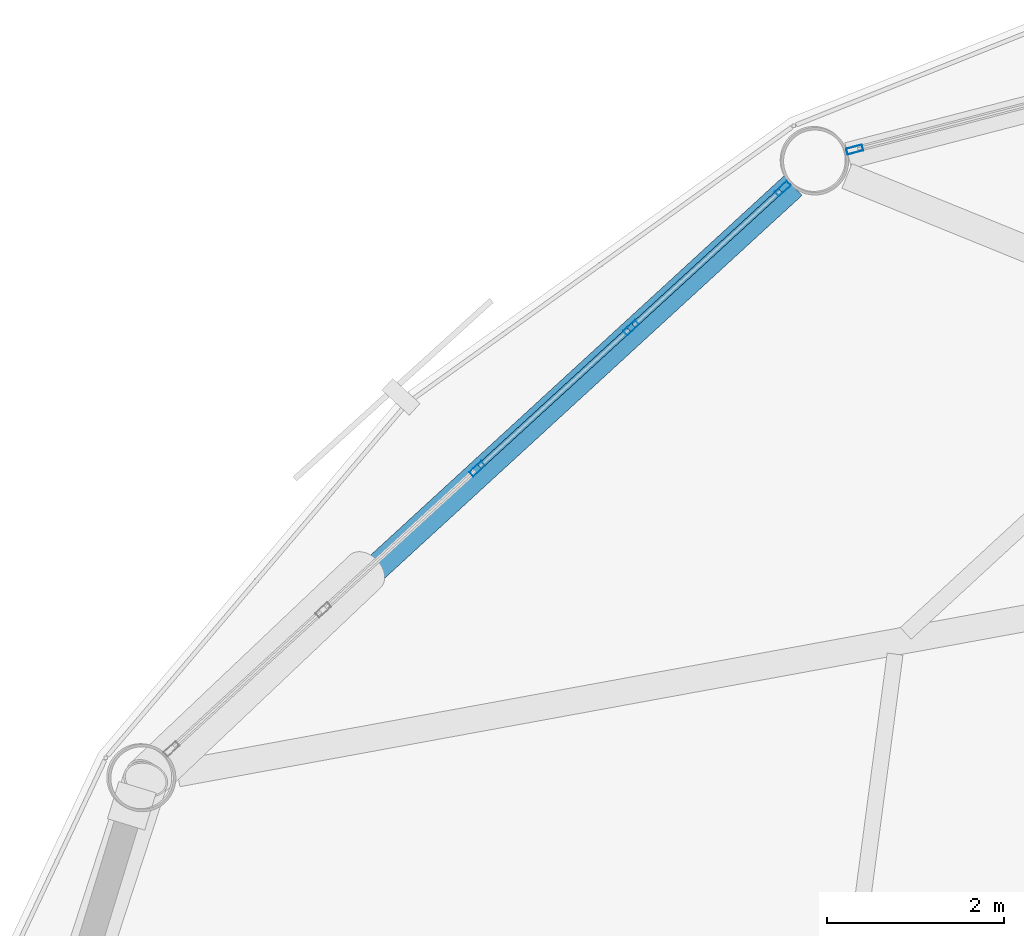
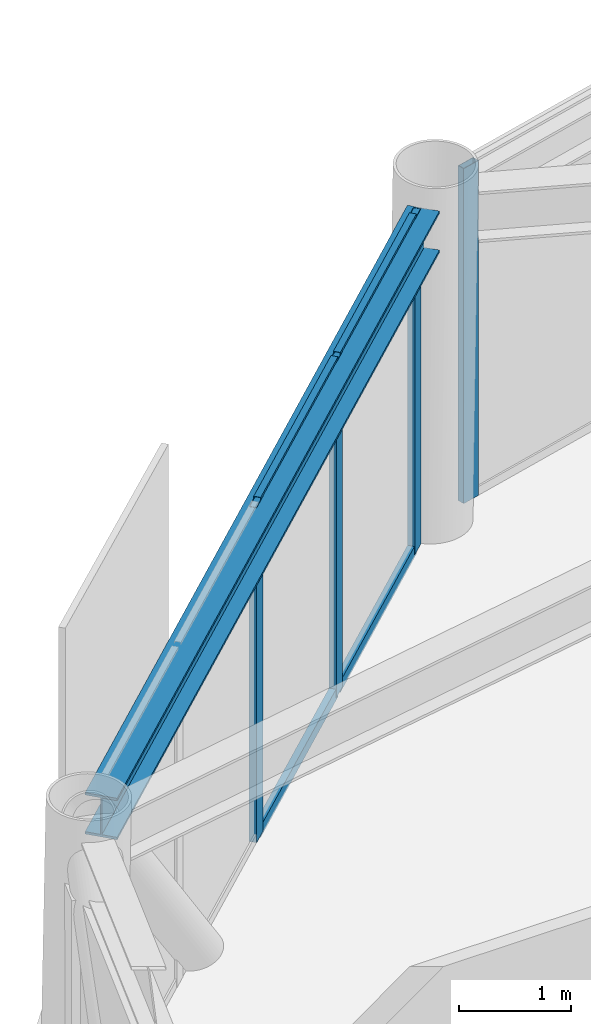
# One storey, part 17 of 27: 8 members, 1 beam, 2 elements without a shape of their own.
"""IFC4 building model written with IfcOpenShell, lengths in metres."""

from ifc_helpers import new_model, si_unit, direction, frame, origin, origin_2d, place, context, subcontext, project, spatial, hollow_rectangle, i_section, extrude, material, layer, layer_set, material_profile, profile_set, type_object, element, aggregate, save


model = new_model("IFC4")

# Units and contexts
model_context = context("Model", 3, precision=1e-05, world=origin(), true_north=direction((0.0, 1.0)))
body_context = subcontext(model_context, "Body", "Model", "MODEL_VIEW")
ifc_project = project(units=[si_unit("LENGTHUNIT", "METRE"), si_unit("AREAUNIT", "SQUARE_METRE"), si_unit("VOLUMEUNIT", "CUBIC_METRE"), si_unit("PLANEANGLEUNIT", "RADIAN"), si_unit("MASSUNIT", "GRAM", prefix="KILO")], contexts=[model_context])

# Site, building, storey
site_placement = place(None, origin())
site = spatial("IfcSite", under=ifc_project, at=site_placement, CompositionType="ELEMENT")
building_placement = place(site_placement, origin())
building = spatial("IfcBuilding", under=site, at=building_placement, Name="Varnakorn Sky Granary", CompositionType="ELEMENT")
storey_placement = place(building_placement, frame((0.0, 0.0, 142.199951171875)))
storey = spatial("IfcBuildingStorey", under=building, at=storey_placement, Name="L35", CompositionType="ELEMENT", Elevation=142.199951171875)

# Beam
ifc_material_1 = material(Name="Steel S355JR", Category="steel")
ifc_material_profile_1 = material_profile(ifc_material_1, i_section(OverallWidth=0.300048828125, OverallDepth=0.449951171875, WebThickness=0.013916015625, FlangeThickness=0.02587890625, at=origin_2d()), Name="HE 450 B")
ifc_profile_set_1 = profile_set([ifc_material_profile_1], Name="Steel S355JR")
beam_type = type_object("IfcBeamType", Name="BM-SPD-Z3", PredefinedType="SPANDREL", material=ifc_profile_set_1)
beam_placement = place(storey_placement, frame((-12.127197265625, 16.2080078125, 3.4150390625), z_axis=(-0.736926112042, -0.675973302276, 0.0), x_axis=(0.675973302276, -0.736926112042, 0.0)))
element("IfcBeam", 1, at=beam_placement, inside=storey, type_object=beam_type, Name="Perimeter Spandrel Ring Beam RB05 L35", PredefinedType="SPANDREL", context=body_context, shape_type="SweptSolid", body=[
    extrude(i_section(OverallWidth=0.300048828125, OverallDepth=0.449951171875, WebThickness=0.013916015625, FlangeThickness=0.02587890625, at=origin_2d()), origin(), (0.0, 0.0, 1.0), 9.556884765625),
])

# Curtain wall, member
ifc_material_2 = material(Name="Anodised Bronze Aluminium Alloy 6063-T6", Category="aluminium")
ifc_layer = layer(ifc_material_2, 0.179931640625, Name="Anodised Bronze Aluminium Alloy 6063-T6")
ifc_layer_set = layer_set([ifc_layer], Name="Anodised Bronze Aluminium Alloy 6063-T6")
curtain_wall_type = type_object("IfcCurtainWallType", Name="CW-FRM-2", PredefinedType="USERDEFINED", material=ifc_layer_set)
curtain_wall_1_placement = place(storey_placement, origin())
curtain_wall_1 = element("IfcCurtainWall", 2, at=curtain_wall_1_placement, inside=storey, type_object=curtain_wall_type, Name="Unitised Curtain Wall CW4 CW-L35-B04", ObjectType="CURTAIN WALL", PredefinedType="USERDEFINED")
ifc_material_profile_2 = material_profile(ifc_material_2, hollow_rectangle(XDim=0.070068359375, YDim=0.18505859375, WallThickness=0.00390625, at=origin_2d()), Name="ALU MULL 70x185")
ifc_profile_set_2 = profile_set([ifc_material_profile_2], Name="Anodised Bronze Aluminium Alloy 6063-T6")
member_type_1 = type_object("IfcMemberType", Name="CW-FRM-2-MULL", PredefinedType="MULLION", material=ifc_profile_set_2)
member_1_placement = place(storey_placement, frame((-11.43017578125, 16.615234375, 0.0), z_axis=(0.0, 0.0, 1.0), x_axis=(-0.250348042267, 0.968155905696, 0.0)))
member_1 = element("IfcMember", 3, at=member_1_placement, type_object=member_type_1, Name="CW4 mullion 1", PredefinedType="MULLION", context=body_context, shape_type="SweptSolid", body=[
    extrude(hollow_rectangle(XDim=0.070068359375, YDim=0.18505859375, WallThickness=0.00390625, at=origin_2d()), origin(), (0.0, 0.0, 1.0), 3.64013671875),
])
aggregate(curtain_wall_1, [member_1])

# Curtain wall, members
curtain_wall_2_placement = place(storey_placement, origin())
curtain_wall_2 = element("IfcCurtainWall", 4, at=curtain_wall_2_placement, inside=storey, type_object=curtain_wall_type, Name="Unitised Curtain Wall CW4 CW-L35-B05", ObjectType="CURTAIN WALL", PredefinedType="USERDEFINED")
member_2_placement = place(storey_placement, frame((-15.6943359375, 13.010009765625, 0.0), z_axis=(0.0, 0.0, 1.0), x_axis=(-0.675684798243, 0.737190649305, 0.0)))
member_2 = element("IfcMember", 5, at=member_2_placement, type_object=member_type_1, Name="CW4 mullion 3", PredefinedType="MULLION", context=body_context, shape_type="SweptSolid", body=[
    extrude(hollow_rectangle(XDim=0.070068359375, YDim=0.18505859375, WallThickness=0.00390625, at=origin_2d()), origin(), (0.0, 0.0, 1.0), 3.64013671875),
])
member_3_placement = place(storey_placement, frame((-13.955322265625, 14.60400390625, 0.0), z_axis=(0.0, 0.0, 1.0), x_axis=(-0.675684798243, 0.737190649305, 0.0)))
member_3 = element("IfcMember", 6, at=member_3_placement, type_object=member_type_1, Name="CW4 mullion 4", PredefinedType="MULLION", context=body_context, shape_type="SweptSolid", body=[
    extrude(hollow_rectangle(XDim=0.070068359375, YDim=0.18505859375, WallThickness=0.00390625, at=origin_2d()), origin(), (0.0, 0.0, 1.0), 3.64013671875),
])
member_4_placement = place(storey_placement, frame((-12.241943359375, 16.174560546875, 0.0), z_axis=(0.0, 0.0, 1.0), x_axis=(-0.675684798243, 0.737190649305, 0.0)))
member_4 = element("IfcMember", 7, at=member_4_placement, type_object=member_type_1, Name="CW4 mullion 5", PredefinedType="MULLION", context=body_context, shape_type="SweptSolid", body=[
    extrude(hollow_rectangle(XDim=0.070068359375, YDim=0.18505859375, WallThickness=0.00390625, at=origin_2d()), origin(), (0.0, 0.0, 1.0), 3.64013671875),
])
ifc_material_profile_3 = material_profile(ifc_material_2, hollow_rectangle(XDim=0.06494140625, YDim=0.1201171875, WallThickness=0.00341796875, at=origin_2d()), Name="ALU TRAN 65x120")
ifc_profile_set_3 = profile_set([ifc_material_profile_3], Name="Anodised Bronze Aluminium Alloy 6063-T6")
member_type_2 = type_object("IfcMemberType", Name="CW-FRM-2-TRAN", PredefinedType="USERDEFINED", material=ifc_profile_set_3)
member_5_placement = place(storey_placement, frame((-15.66845703125, 13.03369140625, 0.032470703125), z_axis=(0.737207264756, 0.675666669883, 0.0), x_axis=(-0.675666669883, 0.737207264756, 0.0)))
member_5 = element("IfcMember", 8, at=member_5_placement, type_object=member_type_2, Name="CW4 transom 3.1", ObjectType="TRANSOM", PredefinedType="USERDEFINED", context=body_context, shape_type="SweptSolid", body=[
    extrude(hollow_rectangle(XDim=0.06494140625, YDim=0.1201171875, WallThickness=0.00341796875, at=origin_2d()), origin(), (0.0, 0.0, 1.0), 2.2890625),
])
member_6_placement = place(storey_placement, frame((-15.66845703125, 13.03369140625, 3.607666015625), z_axis=(0.737207264756, 0.675666669883, 0.0), x_axis=(-0.675666669883, 0.737207264756, 0.0)))
member_6 = element("IfcMember", 9, at=member_6_placement, type_object=member_type_2, Name="CW4 transom 3.2", ObjectType="TRANSOM", PredefinedType="USERDEFINED", context=body_context, shape_type="SweptSolid", body=[
    extrude(hollow_rectangle(XDim=0.06494140625, YDim=0.1201171875, WallThickness=0.00341796875, at=origin_2d()), origin(), (0.0, 0.0, 1.0), 2.2890625),
])
member_7_placement = place(storey_placement, frame((-13.929443359375, 14.627685546875, 0.032470703125), z_axis=(0.737145148517, 0.675734437496, 0.0), x_axis=(-0.675734437496, 0.737145148517, 0.0)))
member_7 = element("IfcMember", 10, at=member_7_placement, type_object=member_type_2, Name="CW4 transom 4.1", ObjectType="TRANSOM", PredefinedType="USERDEFINED", context=body_context, shape_type="SweptSolid", body=[
    extrude(hollow_rectangle(XDim=0.06494140625, YDim=0.1201171875, WallThickness=0.00341796875, at=origin_2d()), origin(), (0.0, 0.0, 1.0), 2.254150390625),
])
member_8_placement = place(storey_placement, frame((-13.929443359375, 14.627685546875, 3.607666015625), z_axis=(0.737145148517, 0.675734437496, 0.0), x_axis=(-0.675734437496, 0.737145148517, 0.0)))
member_8 = element("IfcMember", 11, at=member_8_placement, type_object=member_type_2, Name="CW4 transom 4.2", ObjectType="TRANSOM", PredefinedType="USERDEFINED", context=body_context, shape_type="SweptSolid", body=[
    extrude(hollow_rectangle(XDim=0.06494140625, YDim=0.1201171875, WallThickness=0.00341796875, at=origin_2d()), origin(), (0.0, 0.0, 1.0), 2.254150390625),
])
aggregate(curtain_wall_2, [member_2, member_3, member_4, member_5, member_6, member_7, member_8])

save(model, "model.ifc")
